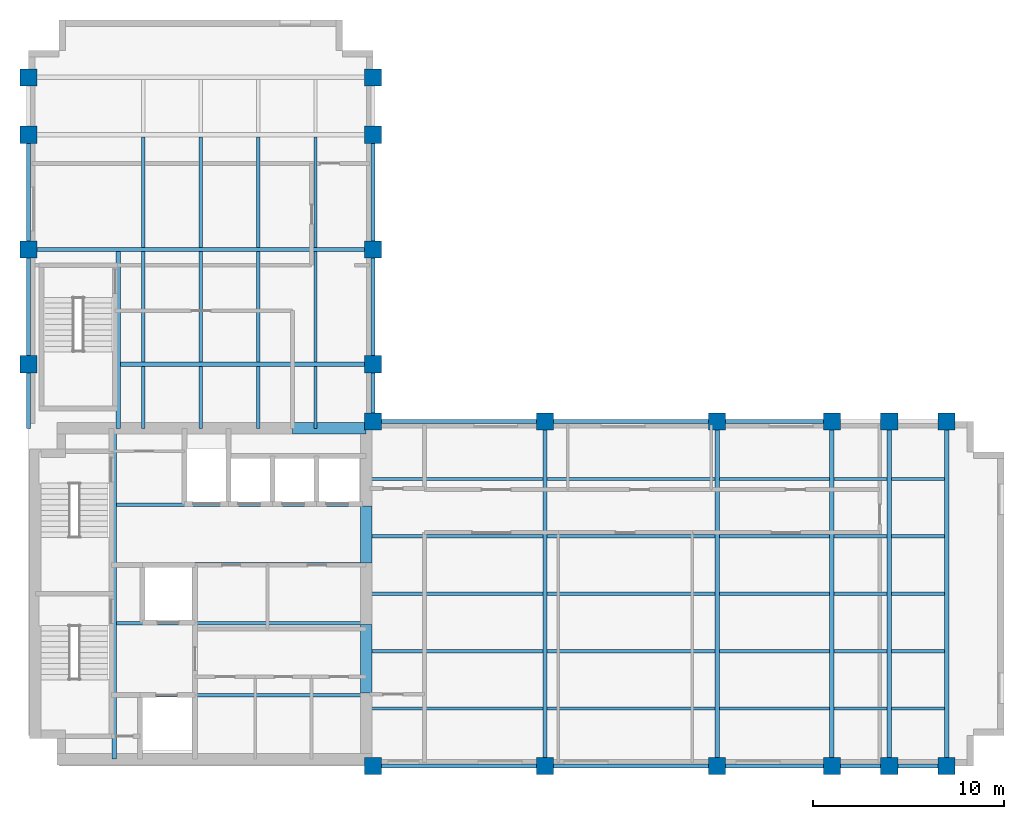
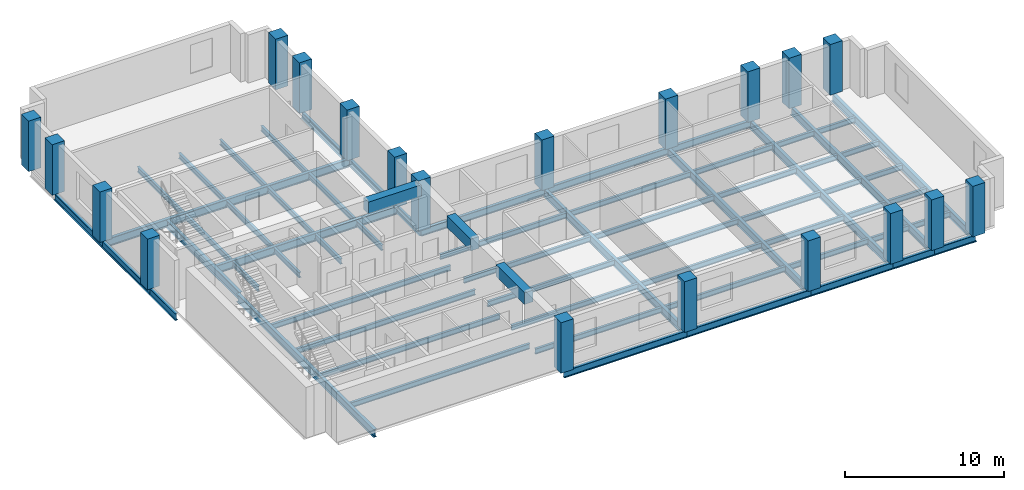
# One storey, part 1 of 6: 67 beams, 20 columns.
"""IFC4 building model written with IfcOpenShell, lengths in metres."""

from ifc_helpers import new_model, si_unit, direction, frame, origin, origin_2d, place, context, subcontext, project, spatial, rectangle, i_section, extrude, material, material_profile, profile_set, type_object, element, save


model = new_model("IFC4")

# Units and contexts
model_context = context("Model", 3, precision=1e-05, world=origin(), true_north=direction((0.0, 1.0)))
body_context = subcontext(model_context, "Body", "Model", "MODEL_VIEW")
ifc_project = project(units=[si_unit("LENGTHUNIT", "METRE"), si_unit("AREAUNIT", "SQUARE_METRE"), si_unit("VOLUMEUNIT", "CUBIC_METRE"), si_unit("PLANEANGLEUNIT", "RADIAN"), si_unit("MASSUNIT", "GRAM", prefix="KILO")], contexts=[model_context])

# Site, building, storey
site_placement = place(None, origin())
site = spatial("IfcSite", under=ifc_project, at=site_placement, CompositionType="ELEMENT")
building_placement = place(site_placement, origin())
building = spatial("IfcBuilding", under=site, at=building_placement, Name="Mawjdan Bourse Tower", CompositionType="ELEMENT")
storey_placement = place(building_placement, frame((0.0, 0.0, 211.199951171875)))
storey = spatial("IfcBuildingStorey", under=building, at=storey_placement, Name="L51", CompositionType="ELEMENT", Elevation=211.199951171875)

# Columns
ifc_material_1 = material(Name="Concrete C70/85", Category="concrete")
ifc_material_profile_1 = material_profile(ifc_material_1, rectangle(XDim=0.89990234375, YDim=0.89990234375, at=origin_2d()), Name="RC900X900")
ifc_profile_set_1 = profile_set([ifc_material_profile_1], Name="Concrete C70/85")
column_type = type_object("IfcColumnType", Name="COL-RC900X900", PredefinedType="COLUMN", material=ifc_profile_set_1)
for number, where, z_axis, x_axis, name in (
    (1, (24.0, 3.0, 0.0), (0.0, 0.0, 1.0), (1.0, 0.0, 0.0), "L51 Structural Column C-X240-Y30"),
    (2, (24.0, 21.0, 0.0), (0.0, 0.0, 1.0), (1.0, 0.0, 0.0), "L51 Structural Column C-X240-Y210"),
    (3, (33.0, 3.0, 0.0), (0.0, 0.0, 1.0), (1.0, 0.0, 0.0), "L51 Structural Column C-X330-Y30"),
    (4, (33.0, 21.0, 0.0), (0.0, 0.0, 1.0), (1.0, 0.0, 0.0), "L51 Structural Column C-X330-Y210"),
    (5, (42.0, 3.0, 0.0), (0.0, 0.0, 1.0), (1.0, 0.0, 0.0), "L51 Structural Column C-X420-Y30"),
    (6, (42.0, 21.0, 0.0), (0.0, 0.0, 1.0), (1.0, 0.0, 0.0), "L51 Structural Column C-X420-Y210"),
    (7, (48.0, 3.0, 0.0), (0.0, 0.0, 1.0), (1.0, 0.0, 0.0), "L51 Structural Column C-X480-Y30"),
    (8, (48.0, 21.0, 0.0), (0.0, 0.0, 1.0), (1.0, 0.0, 0.0), "L51 Structural Column C-X480-Y210"),
    (9, (51.0, 3.0, 0.0), (0.0, 0.0, 1.0), (1.0, 0.0, 0.0), "L51 Structural Column C-X510-Y30"),
    (10, (51.0, 21.0, 0.0), (0.0, 0.0, 1.0), (1.0, 0.0, 0.0), "L51 Structural Column C-X510-Y210"),
    (11, (54.0, 3.0, 0.0), (0.0, 0.0, 1.0), (1.0, 0.0, 0.0), "L51 Structural Column C-X540-Y30"),
    (12, (54.0, 21.0, 0.0), (0.0, 0.0, 1.0), (1.0, 0.0, 0.0), "L51 Structural Column C-X540-Y210"),
    (13, (6.0, 24.0, 0.0), (0.0, 0.0, 1.0), (1.0, 0.0, 0.0), "L51 Structural Column C-X60-Y240"),
    (14, (24.0, 24.0, 0.0), (0.0, 0.0, 1.0), (1.0, 0.0, 0.0), "L51 Structural Column C-X240-Y240"),
    (15, (6.0, 30.0, 0.0), (0.0, 0.0, 1.0), (1.0, 0.0, 0.0), "L51 Structural Column C-X60-Y300"),
    (16, (24.0, 30.0, 0.0), (0.0, 0.0, 1.0), (1.0, 0.0, 0.0), "L51 Structural Column C-X240-Y300"),
    (17, (6.0, 36.0, 0.0), (0.0, 0.0, 1.0), (1.0, 0.0, 0.0), "L51 Structural Column C-X60-Y360"),
    (18, (24.0, 36.0, 0.0), (0.0, 0.0, 1.0), (1.0, 0.0, 0.0), "L51 Structural Column C-X240-Y360"),
    (19, (6.0, 39.0, 0.0), (0.0, 0.0, 1.0), (1.0, 0.0, 0.0), "L51 Structural Column C-X60-Y390"),
    (20, (24.0, 39.0, 0.0), (0.0, 0.0, 1.0), (1.0, 0.0, 0.0), "L51 Structural Column C-X240-Y390"),
):
    element("IfcColumn", number, at=place(storey_placement, frame(where, z_axis=z_axis, x_axis=x_axis)), inside=storey, type_object=column_type, Name=name, PredefinedType="COLUMN", context=body_context, shape_type="SweptSolid", body=[
        extrude(rectangle(XDim=0.89990234375, YDim=0.89990234375, at=origin_2d()), origin(), (0.0, 0.0, 1.0), 3.900146484375),
    ])

# Beams
ifc_material_2 = material(Name="Structural Steel S355", Category="steel")
ifc_material_profile_2 = material_profile(ifc_material_2, i_section(OverallWidth=0.22998046875, OverallDepth=0.616943359375, WebThickness=0.01318359375, FlangeThickness=0.022216796875, FilletRadius=0.017822265625, at=origin_2d()), Name="W24X94")
ifc_profile_set_2 = profile_set([ifc_material_profile_2], Name="Structural Steel S355")
beam_type_1 = type_object("IfcBeamType", Name="GRD-W24X94", PredefinedType="BEAM", material=ifc_profile_set_2)
beam_1_placement = place(storey_placement, frame((10.47998046875, 3.35009765625, -0.508544921875), z_axis=(0.0, 1.0, 0.0), x_axis=(-1.0, 0.0, 0.0)))
element("IfcBeam", 21, at=beam_1_placement, inside=storey, type_object=beam_type_1, Name="L51 Core Stair Trimmer Girder 001", PredefinedType="BEAM", context=body_context, shape_type="SweptSolid", body=[
    extrude(i_section(OverallWidth=0.22998046875, OverallDepth=0.616943359375, WebThickness=0.01318359375, FlangeThickness=0.022216796875, FilletRadius=0.017822265625, at=origin_2d()), origin(), (0.0, 0.0, 1.0), 17.2998046875),
])
for number, where, z_axis, x_axis, name in (
    (22, (33.0, 3.0, -0.508544921875), (0.0, 1.0, 0.0), (-1.0, 0.0, 0.0), "L51 East Wing Clear-Span Girder 002"),
    (23, (42.0, 3.0, -0.508544921875), (0.0, 1.0, 0.0), (-1.0, 0.0, 0.0), "L51 East Wing Clear-Span Girder 003"),
    (24, (48.0, 3.0, -0.508544921875), (0.0, 1.0, 0.0), (-1.0, 0.0, 0.0), "L51 East Wing Clear-Span Girder 004"),
    (25, (51.0, 3.0, -0.508544921875), (0.0, 1.0, 0.0), (-1.0, 0.0, 0.0), "L51 East Wing Clear-Span Girder 005"),
    (26, (54.0, 3.0, -0.508544921875), (0.0, 1.0, 0.0), (-1.0, 0.0, 0.0), "L51 East Wing Clear-Span Girder 006"),
):
    element("IfcBeam", number, at=place(storey_placement, frame(where, z_axis=z_axis, x_axis=x_axis)), inside=storey, type_object=beam_type_1, Name=name, PredefinedType="BEAM", context=body_context, shape_type="SweptSolid", body=[
        extrude(i_section(OverallWidth=0.22998046875, OverallDepth=0.616943359375, WebThickness=0.01318359375, FlangeThickness=0.022216796875, FilletRadius=0.017822265625, at=origin_2d()), origin(), (0.0, 0.0, 1.0), 18.0),
    ])
beam_2_placement = place(storey_placement, frame((10.679931640625, 20.64990234375, -0.508544921875), z_axis=(0.0, 1.0, 0.0), x_axis=(-1.0, 0.0, 0.0)))
element("IfcBeam", 27, at=beam_2_placement, inside=storey, type_object=beam_type_1, Name="L51 North Wing Stair Trimmer Girder 046", PredefinedType="BEAM", context=body_context, shape_type="SweptSolid", body=[
    extrude(i_section(OverallWidth=0.22998046875, OverallDepth=0.616943359375, WebThickness=0.01318359375, FlangeThickness=0.022216796875, FilletRadius=0.017822265625, at=origin_2d()), origin(), (0.0, 0.0, 1.0), 9.237060546875),
])
beam_3_placement = place(storey_placement, frame((10.79296875, 24.0, -0.508544921875), z_axis=(1.0, 0.0, 0.0), x_axis=(0.0, 1.0, 0.0)))
element("IfcBeam", 28, at=beam_3_placement, inside=storey, type_object=beam_type_1, Name="L51 North Wing Clear-Span Girder 047", PredefinedType="BEAM", context=body_context, shape_type="SweptSolid", body=[
    extrude(i_section(OverallWidth=0.22998046875, OverallDepth=0.616943359375, WebThickness=0.01318359375, FlangeThickness=0.022216796875, FilletRadius=0.017822265625, at=origin_2d()), origin(), (0.0, 0.0, 1.0), 13.20703125),
])
beam_4_placement = place(storey_placement, frame((6.0, 30.0, -0.508544921875), z_axis=(1.0, 0.0, 0.0), x_axis=(0.0, 1.0, 0.0)))
element("IfcBeam", 29, at=beam_4_placement, inside=storey, type_object=beam_type_1, Name="L51 North Wing Clear-Span Girder 048", PredefinedType="BEAM", context=body_context, shape_type="SweptSolid", body=[
    extrude(i_section(OverallWidth=0.22998046875, OverallDepth=0.616943359375, WebThickness=0.01318359375, FlangeThickness=0.022216796875, FilletRadius=0.017822265625, at=origin_2d()), origin(), (0.0, 0.0, 1.0), 18.0),
])
ifc_material_profile_3 = material_profile(ifc_material_2, i_section(OverallWidth=0.177978515625, OverallDepth=0.406982421875, WebThickness=0.0078125, FlangeThickness=0.0126953125, FilletRadius=0.01025390625, at=origin_2d()), Name="W16X40")
ifc_profile_set_3 = profile_set([ifc_material_profile_3], Name="Structural Steel S355")
beam_type_2 = type_object("IfcBeamType", Name="JST-W16X40", PredefinedType="JOIST", material=ifc_profile_set_3)
beam_5_placement = place(storey_placement, frame((23.64990234375, 6.0, -0.403564453125), z_axis=(1.0, 0.0, 0.0), x_axis=(0.0, 1.0, 0.0)))
element("IfcBeam", 30, at=beam_5_placement, inside=storey, type_object=beam_type_2, Name="L51 East Wing Composite Joist 017", PredefinedType="JOIST", context=body_context, shape_type="SweptSolid", body=[
    extrude(i_section(OverallWidth=0.177978515625, OverallDepth=0.406982421875, WebThickness=0.0078125, FlangeThickness=0.0126953125, FilletRadius=0.01025390625, at=origin_2d()), origin(), (0.0, 0.0, 1.0), 9.237060546875),
])
beam_6_placement = place(storey_placement, frame((33.113037109375, 6.0, -0.403564453125), z_axis=(1.0, 0.0, 0.0), x_axis=(0.0, 1.0, 0.0)))
element("IfcBeam", 31, at=beam_6_placement, inside=storey, type_object=beam_type_2, Name="L51 East Wing Composite Joist 018", PredefinedType="JOIST", context=body_context, shape_type="SweptSolid", body=[
    extrude(i_section(OverallWidth=0.177978515625, OverallDepth=0.406982421875, WebThickness=0.0078125, FlangeThickness=0.0126953125, FilletRadius=0.01025390625, at=origin_2d()), origin(), (0.0, 0.0, 1.0), 8.77392578125),
])
beam_7_placement = place(storey_placement, frame((42.113037109375, 6.0, -0.403564453125), z_axis=(1.0, 0.0, 0.0), x_axis=(0.0, 1.0, 0.0)))
element("IfcBeam", 32, at=beam_7_placement, inside=storey, type_object=beam_type_2, Name="L51 East Wing Composite Joist 019", PredefinedType="JOIST", context=body_context, shape_type="SweptSolid", body=[
    extrude(i_section(OverallWidth=0.177978515625, OverallDepth=0.406982421875, WebThickness=0.0078125, FlangeThickness=0.0126953125, FilletRadius=0.01025390625, at=origin_2d()), origin(), (0.0, 0.0, 1.0), 5.77392578125),
])
for number, where, z_axis, x_axis, name in (
    (33, (48.113037109375, 6.0, -0.403564453125), (1.0, 0.0, 0.0), (0.0, 1.0, 0.0), "L51 East Wing Composite Joist 020"),
    (34, (51.113037109375, 6.0, -0.403564453125), (1.0, 0.0, 0.0), (0.0, 1.0, 0.0), "L51 East Wing Composite Joist 021"),
):
    element("IfcBeam", number, at=place(storey_placement, frame(where, z_axis=z_axis, x_axis=x_axis)), inside=storey, type_object=beam_type_2, Name=name, PredefinedType="JOIST", context=body_context, shape_type="SweptSolid", body=[
        extrude(i_section(OverallWidth=0.177978515625, OverallDepth=0.406982421875, WebThickness=0.0078125, FlangeThickness=0.0126953125, FilletRadius=0.01025390625, at=origin_2d()), origin(), (0.0, 0.0, 1.0), 2.77392578125),
    ])
beam_8_placement = place(storey_placement, frame((23.64990234375, 9.0, -0.403564453125), z_axis=(1.0, 0.0, 0.0), x_axis=(0.0, 1.0, 0.0)))
element("IfcBeam", 35, at=beam_8_placement, inside=storey, type_object=beam_type_2, Name="L51 East Wing Composite Joist 022", PredefinedType="JOIST", context=body_context, shape_type="SweptSolid", body=[
    extrude(i_section(OverallWidth=0.177978515625, OverallDepth=0.406982421875, WebThickness=0.0078125, FlangeThickness=0.0126953125, FilletRadius=0.01025390625, at=origin_2d()), origin(), (0.0, 0.0, 1.0), 9.237060546875),
])
beam_9_placement = place(storey_placement, frame((33.113037109375, 9.0, -0.403564453125), z_axis=(1.0, 0.0, 0.0), x_axis=(0.0, 1.0, 0.0)))
element("IfcBeam", 36, at=beam_9_placement, inside=storey, type_object=beam_type_2, Name="L51 East Wing Composite Joist 023", PredefinedType="JOIST", context=body_context, shape_type="SweptSolid", body=[
    extrude(i_section(OverallWidth=0.177978515625, OverallDepth=0.406982421875, WebThickness=0.0078125, FlangeThickness=0.0126953125, FilletRadius=0.01025390625, at=origin_2d()), origin(), (0.0, 0.0, 1.0), 8.77392578125),
])
beam_10_placement = place(storey_placement, frame((42.113037109375, 9.0, -0.403564453125), z_axis=(1.0, 0.0, 0.0), x_axis=(0.0, 1.0, 0.0)))
element("IfcBeam", 37, at=beam_10_placement, inside=storey, type_object=beam_type_2, Name="L51 East Wing Composite Joist 024", PredefinedType="JOIST", context=body_context, shape_type="SweptSolid", body=[
    extrude(i_section(OverallWidth=0.177978515625, OverallDepth=0.406982421875, WebThickness=0.0078125, FlangeThickness=0.0126953125, FilletRadius=0.01025390625, at=origin_2d()), origin(), (0.0, 0.0, 1.0), 5.77392578125),
])
for number, where, z_axis, x_axis, name in (
    (38, (48.113037109375, 9.0, -0.403564453125), (1.0, 0.0, 0.0), (0.0, 1.0, 0.0), "L51 East Wing Composite Joist 025"),
    (39, (51.113037109375, 9.0, -0.403564453125), (1.0, 0.0, 0.0), (0.0, 1.0, 0.0), "L51 East Wing Composite Joist 026"),
):
    element("IfcBeam", number, at=place(storey_placement, frame(where, z_axis=z_axis, x_axis=x_axis)), inside=storey, type_object=beam_type_2, Name=name, PredefinedType="JOIST", context=body_context, shape_type="SweptSolid", body=[
        extrude(i_section(OverallWidth=0.177978515625, OverallDepth=0.406982421875, WebThickness=0.0078125, FlangeThickness=0.0126953125, FilletRadius=0.01025390625, at=origin_2d()), origin(), (0.0, 0.0, 1.0), 2.77392578125),
    ])
beam_11_placement = place(storey_placement, frame((23.64990234375, 12.0, -0.403564453125), z_axis=(1.0, 0.0, 0.0), x_axis=(0.0, 1.0, 0.0)))
element("IfcBeam", 40, at=beam_11_placement, inside=storey, type_object=beam_type_2, Name="L51 East Wing Composite Joist 027", PredefinedType="JOIST", context=body_context, shape_type="SweptSolid", body=[
    extrude(i_section(OverallWidth=0.177978515625, OverallDepth=0.406982421875, WebThickness=0.0078125, FlangeThickness=0.0126953125, FilletRadius=0.01025390625, at=origin_2d()), origin(), (0.0, 0.0, 1.0), 9.237060546875),
])
beam_12_placement = place(storey_placement, frame((33.113037109375, 12.0, -0.403564453125), z_axis=(1.0, 0.0, 0.0), x_axis=(0.0, 1.0, 0.0)))
element("IfcBeam", 41, at=beam_12_placement, inside=storey, type_object=beam_type_2, Name="L51 East Wing Composite Joist 028", PredefinedType="JOIST", context=body_context, shape_type="SweptSolid", body=[
    extrude(i_section(OverallWidth=0.177978515625, OverallDepth=0.406982421875, WebThickness=0.0078125, FlangeThickness=0.0126953125, FilletRadius=0.01025390625, at=origin_2d()), origin(), (0.0, 0.0, 1.0), 8.77392578125),
])
beam_13_placement = place(storey_placement, frame((42.113037109375, 12.0, -0.403564453125), z_axis=(1.0, 0.0, 0.0), x_axis=(0.0, 1.0, 0.0)))
element("IfcBeam", 42, at=beam_13_placement, inside=storey, type_object=beam_type_2, Name="L51 East Wing Composite Joist 029", PredefinedType="JOIST", context=body_context, shape_type="SweptSolid", body=[
    extrude(i_section(OverallWidth=0.177978515625, OverallDepth=0.406982421875, WebThickness=0.0078125, FlangeThickness=0.0126953125, FilletRadius=0.01025390625, at=origin_2d()), origin(), (0.0, 0.0, 1.0), 5.77392578125),
])
for number, where, z_axis, x_axis, name in (
    (43, (48.113037109375, 12.0, -0.403564453125), (1.0, 0.0, 0.0), (0.0, 1.0, 0.0), "L51 East Wing Composite Joist 030"),
    (44, (51.113037109375, 12.0, -0.403564453125), (1.0, 0.0, 0.0), (0.0, 1.0, 0.0), "L51 East Wing Composite Joist 031"),
):
    element("IfcBeam", number, at=place(storey_placement, frame(where, z_axis=z_axis, x_axis=x_axis)), inside=storey, type_object=beam_type_2, Name=name, PredefinedType="JOIST", context=body_context, shape_type="SweptSolid", body=[
        extrude(i_section(OverallWidth=0.177978515625, OverallDepth=0.406982421875, WebThickness=0.0078125, FlangeThickness=0.0126953125, FilletRadius=0.01025390625, at=origin_2d()), origin(), (0.0, 0.0, 1.0), 2.77392578125),
    ])
beam_14_placement = place(storey_placement, frame((23.64990234375, 15.0, -0.403564453125), z_axis=(1.0, 0.0, 0.0), x_axis=(0.0, 1.0, 0.0)))
element("IfcBeam", 45, at=beam_14_placement, inside=storey, type_object=beam_type_2, Name="L51 East Wing Composite Joist 032", PredefinedType="JOIST", context=body_context, shape_type="SweptSolid", body=[
    extrude(i_section(OverallWidth=0.177978515625, OverallDepth=0.406982421875, WebThickness=0.0078125, FlangeThickness=0.0126953125, FilletRadius=0.01025390625, at=origin_2d()), origin(), (0.0, 0.0, 1.0), 9.237060546875),
])
beam_15_placement = place(storey_placement, frame((33.113037109375, 15.0, -0.403564453125), z_axis=(1.0, 0.0, 0.0), x_axis=(0.0, 1.0, 0.0)))
element("IfcBeam", 46, at=beam_15_placement, inside=storey, type_object=beam_type_2, Name="L51 East Wing Composite Joist 033", PredefinedType="JOIST", context=body_context, shape_type="SweptSolid", body=[
    extrude(i_section(OverallWidth=0.177978515625, OverallDepth=0.406982421875, WebThickness=0.0078125, FlangeThickness=0.0126953125, FilletRadius=0.01025390625, at=origin_2d()), origin(), (0.0, 0.0, 1.0), 8.77392578125),
])
beam_16_placement = place(storey_placement, frame((42.113037109375, 15.0, -0.403564453125), z_axis=(1.0, 0.0, 0.0), x_axis=(0.0, 1.0, 0.0)))
element("IfcBeam", 47, at=beam_16_placement, inside=storey, type_object=beam_type_2, Name="L51 East Wing Composite Joist 034", PredefinedType="JOIST", context=body_context, shape_type="SweptSolid", body=[
    extrude(i_section(OverallWidth=0.177978515625, OverallDepth=0.406982421875, WebThickness=0.0078125, FlangeThickness=0.0126953125, FilletRadius=0.01025390625, at=origin_2d()), origin(), (0.0, 0.0, 1.0), 5.77392578125),
])
for number, where, z_axis, x_axis, name in (
    (48, (48.113037109375, 15.0, -0.403564453125), (1.0, 0.0, 0.0), (0.0, 1.0, 0.0), "L51 East Wing Composite Joist 035"),
    (49, (51.113037109375, 15.0, -0.403564453125), (1.0, 0.0, 0.0), (0.0, 1.0, 0.0), "L51 East Wing Composite Joist 036"),
):
    element("IfcBeam", number, at=place(storey_placement, frame(where, z_axis=z_axis, x_axis=x_axis)), inside=storey, type_object=beam_type_2, Name=name, PredefinedType="JOIST", context=body_context, shape_type="SweptSolid", body=[
        extrude(i_section(OverallWidth=0.177978515625, OverallDepth=0.406982421875, WebThickness=0.0078125, FlangeThickness=0.0126953125, FilletRadius=0.01025390625, at=origin_2d()), origin(), (0.0, 0.0, 1.0), 2.77392578125),
    ])
beam_17_placement = place(storey_placement, frame((23.64990234375, 18.0, -0.403564453125), z_axis=(1.0, 0.0, 0.0), x_axis=(0.0, 1.0, 0.0)))
element("IfcBeam", 50, at=beam_17_placement, inside=storey, type_object=beam_type_2, Name="L51 East Wing Composite Joist 037", PredefinedType="JOIST", context=body_context, shape_type="SweptSolid", body=[
    extrude(i_section(OverallWidth=0.177978515625, OverallDepth=0.406982421875, WebThickness=0.0078125, FlangeThickness=0.0126953125, FilletRadius=0.01025390625, at=origin_2d()), origin(), (0.0, 0.0, 1.0), 9.237060546875),
])
beam_18_placement = place(storey_placement, frame((33.113037109375, 18.0, -0.403564453125), z_axis=(1.0, 0.0, 0.0), x_axis=(0.0, 1.0, 0.0)))
element("IfcBeam", 51, at=beam_18_placement, inside=storey, type_object=beam_type_2, Name="L51 East Wing Composite Joist 038", PredefinedType="JOIST", context=body_context, shape_type="SweptSolid", body=[
    extrude(i_section(OverallWidth=0.177978515625, OverallDepth=0.406982421875, WebThickness=0.0078125, FlangeThickness=0.0126953125, FilletRadius=0.01025390625, at=origin_2d()), origin(), (0.0, 0.0, 1.0), 8.77392578125),
])
beam_19_placement = place(storey_placement, frame((42.113037109375, 18.0, -0.403564453125), z_axis=(1.0, 0.0, 0.0), x_axis=(0.0, 1.0, 0.0)))
element("IfcBeam", 52, at=beam_19_placement, inside=storey, type_object=beam_type_2, Name="L51 East Wing Composite Joist 039", PredefinedType="JOIST", context=body_context, shape_type="SweptSolid", body=[
    extrude(i_section(OverallWidth=0.177978515625, OverallDepth=0.406982421875, WebThickness=0.0078125, FlangeThickness=0.0126953125, FilletRadius=0.01025390625, at=origin_2d()), origin(), (0.0, 0.0, 1.0), 5.77392578125),
])
for number, where, z_axis, x_axis, name in (
    (53, (48.113037109375, 18.0, -0.403564453125), (1.0, 0.0, 0.0), (0.0, 1.0, 0.0), "L51 East Wing Composite Joist 040"),
    (54, (51.113037109375, 18.0, -0.403564453125), (1.0, 0.0, 0.0), (0.0, 1.0, 0.0), "L51 East Wing Composite Joist 041"),
):
    element("IfcBeam", number, at=place(storey_placement, frame(where, z_axis=z_axis, x_axis=x_axis)), inside=storey, type_object=beam_type_2, Name=name, PredefinedType="JOIST", context=body_context, shape_type="SweptSolid", body=[
        extrude(i_section(OverallWidth=0.177978515625, OverallDepth=0.406982421875, WebThickness=0.0078125, FlangeThickness=0.0126953125, FilletRadius=0.01025390625, at=origin_2d()), origin(), (0.0, 0.0, 1.0), 2.77392578125),
    ])
for number, where, z_axis, x_axis, name in (
    (55, (10.593017578125, 6.699951171875, -0.403564453125), (1.0, 0.0, 0.0), (0.0, 1.0, 0.0), "L51 Core Floor Joist 042"),
    (56, (10.593017578125, 10.449951171875, -0.403564453125), (1.0, 0.0, 0.0), (0.0, 1.0, 0.0), "L51 Core Floor Joist 043"),
    (57, (10.593017578125, 13.550048828125, -0.403564453125), (1.0, 0.0, 0.0), (0.0, 1.0, 0.0), "L51 Core Floor Joist 044"),
    (58, (10.593017578125, 16.64990234375, -0.403564453125), (1.0, 0.0, 0.0), (0.0, 1.0, 0.0), "L51 Core Floor Joist 045"),
):
    element("IfcBeam", number, at=place(storey_placement, frame(where, z_axis=z_axis, x_axis=x_axis)), inside=storey, type_object=beam_type_2, Name=name, PredefinedType="JOIST", context=body_context, shape_type="SweptSolid", body=[
        extrude(i_section(OverallWidth=0.177978515625, OverallDepth=0.406982421875, WebThickness=0.0078125, FlangeThickness=0.0126953125, FilletRadius=0.01025390625, at=origin_2d()), origin(), (0.0, 0.0, 1.0), 13.056884765625),
    ])
beam_20_placement = place(storey_placement, frame((12.0, 20.64990234375, -0.403564453125), z_axis=(0.0, 1.0, 0.0), x_axis=(-1.0, 0.0, 0.0)))
element("IfcBeam", 59, at=beam_20_placement, inside=storey, type_object=beam_type_2, Name="L51 North Wing Composite Joist 059", PredefinedType="JOIST", context=body_context, shape_type="SweptSolid", body=[
    extrude(i_section(OverallWidth=0.177978515625, OverallDepth=0.406982421875, WebThickness=0.0078125, FlangeThickness=0.0126953125, FilletRadius=0.01025390625, at=origin_2d()), origin(), (0.0, 0.0, 1.0), 3.237060546875),
])
for number, where, z_axis, x_axis, name in (
    (60, (12.0, 24.113037109375, -0.403564453125), (0.0, 1.0, 0.0), (-1.0, 0.0, 0.0), "L51 North Wing Composite Joist 060"),
    (61, (12.0, 30.113037109375, -0.403564453125), (0.0, 1.0, 0.0), (-1.0, 0.0, 0.0), "L51 North Wing Composite Joist 061"),
):
    element("IfcBeam", number, at=place(storey_placement, frame(where, z_axis=z_axis, x_axis=x_axis)), inside=storey, type_object=beam_type_2, Name=name, PredefinedType="JOIST", context=body_context, shape_type="SweptSolid", body=[
        extrude(i_section(OverallWidth=0.177978515625, OverallDepth=0.406982421875, WebThickness=0.0078125, FlangeThickness=0.0126953125, FilletRadius=0.01025390625, at=origin_2d()), origin(), (0.0, 0.0, 1.0), 5.77392578125),
    ])
beam_21_placement = place(storey_placement, frame((15.0, 20.64990234375, -0.403564453125), z_axis=(0.0, 1.0, 0.0), x_axis=(-1.0, 0.0, 0.0)))
element("IfcBeam", 62, at=beam_21_placement, inside=storey, type_object=beam_type_2, Name="L51 North Wing Composite Joist 063", PredefinedType="JOIST", context=body_context, shape_type="SweptSolid", body=[
    extrude(i_section(OverallWidth=0.177978515625, OverallDepth=0.406982421875, WebThickness=0.0078125, FlangeThickness=0.0126953125, FilletRadius=0.01025390625, at=origin_2d()), origin(), (0.0, 0.0, 1.0), 3.237060546875),
])
for number, where, z_axis, x_axis, name in (
    (63, (15.0, 24.113037109375, -0.403564453125), (0.0, 1.0, 0.0), (-1.0, 0.0, 0.0), "L51 North Wing Composite Joist 064"),
    (64, (15.0, 30.113037109375, -0.403564453125), (0.0, 1.0, 0.0), (-1.0, 0.0, 0.0), "L51 North Wing Composite Joist 065"),
):
    element("IfcBeam", number, at=place(storey_placement, frame(where, z_axis=z_axis, x_axis=x_axis)), inside=storey, type_object=beam_type_2, Name=name, PredefinedType="JOIST", context=body_context, shape_type="SweptSolid", body=[
        extrude(i_section(OverallWidth=0.177978515625, OverallDepth=0.406982421875, WebThickness=0.0078125, FlangeThickness=0.0126953125, FilletRadius=0.01025390625, at=origin_2d()), origin(), (0.0, 0.0, 1.0), 5.77392578125),
    ])
beam_22_placement = place(storey_placement, frame((18.0, 20.64990234375, -0.403564453125), z_axis=(0.0, 1.0, 0.0), x_axis=(-1.0, 0.0, 0.0)))
element("IfcBeam", 65, at=beam_22_placement, inside=storey, type_object=beam_type_2, Name="L51 North Wing Composite Joist 067", PredefinedType="JOIST", context=body_context, shape_type="SweptSolid", body=[
    extrude(i_section(OverallWidth=0.177978515625, OverallDepth=0.406982421875, WebThickness=0.0078125, FlangeThickness=0.0126953125, FilletRadius=0.01025390625, at=origin_2d()), origin(), (0.0, 0.0, 1.0), 3.237060546875),
])
for number, where, z_axis, x_axis, name in (
    (66, (18.0, 24.113037109375, -0.403564453125), (0.0, 1.0, 0.0), (-1.0, 0.0, 0.0), "L51 North Wing Composite Joist 068"),
    (67, (18.0, 30.113037109375, -0.403564453125), (0.0, 1.0, 0.0), (-1.0, 0.0, 0.0), "L51 North Wing Composite Joist 069"),
):
    element("IfcBeam", number, at=place(storey_placement, frame(where, z_axis=z_axis, x_axis=x_axis)), inside=storey, type_object=beam_type_2, Name=name, PredefinedType="JOIST", context=body_context, shape_type="SweptSolid", body=[
        extrude(i_section(OverallWidth=0.177978515625, OverallDepth=0.406982421875, WebThickness=0.0078125, FlangeThickness=0.0126953125, FilletRadius=0.01025390625, at=origin_2d()), origin(), (0.0, 0.0, 1.0), 5.77392578125),
    ])
beam_23_placement = place(storey_placement, frame((21.0, 20.64990234375, -0.403564453125), z_axis=(0.0, 1.0, 0.0), x_axis=(-1.0, 0.0, 0.0)))
element("IfcBeam", 68, at=beam_23_placement, inside=storey, type_object=beam_type_2, Name="L51 North Wing Composite Joist 071", PredefinedType="JOIST", context=body_context, shape_type="SweptSolid", body=[
    extrude(i_section(OverallWidth=0.177978515625, OverallDepth=0.406982421875, WebThickness=0.0078125, FlangeThickness=0.0126953125, FilletRadius=0.01025390625, at=origin_2d()), origin(), (0.0, 0.0, 1.0), 3.237060546875),
])
for number, where, z_axis, x_axis, name in (
    (69, (21.0, 24.113037109375, -0.403564453125), (0.0, 1.0, 0.0), (-1.0, 0.0, 0.0), "L51 North Wing Composite Joist 072"),
    (70, (21.0, 30.113037109375, -0.403564453125), (0.0, 1.0, 0.0), (-1.0, 0.0, 0.0), "L51 North Wing Composite Joist 073"),
):
    element("IfcBeam", number, at=place(storey_placement, frame(where, z_axis=z_axis, x_axis=x_axis)), inside=storey, type_object=beam_type_2, Name=name, PredefinedType="JOIST", context=body_context, shape_type="SweptSolid", body=[
        extrude(i_section(OverallWidth=0.177978515625, OverallDepth=0.406982421875, WebThickness=0.0078125, FlangeThickness=0.0126953125, FilletRadius=0.01025390625, at=origin_2d()), origin(), (0.0, 0.0, 1.0), 5.77392578125),
    ])
ifc_material_profile_4 = material_profile(ifc_material_1, rectangle(XDim=0.60009765625, YDim=0.89990234375, at=origin_2d()), Name="RCB600X900")
ifc_profile_set_4 = profile_set([ifc_material_profile_4], Name="Concrete C70/85")
beam_type_3 = type_object("IfcBeamType", Name="LNT-RCB600X900", PredefinedType="LINTEL", material=ifc_profile_set_4)
beam_24_placement = place(storey_placement, frame((23.64990234375, 6.800048828125, 3.25), z_axis=(0.0, 1.0, 0.0), x_axis=(-1.0, 0.0, 0.0)))
element("IfcBeam", 71, at=beam_24_placement, inside=storey, type_object=beam_type_3, Name="L51 Coupled Core Lintel CB-E1", PredefinedType="LINTEL", context=body_context, shape_type="SweptSolid", body=[
    extrude(rectangle(XDim=0.60009765625, YDim=0.89990234375, at=origin_2d()), origin(), (0.0, 0.0, 1.0), 3.599853515625),
])
beam_25_placement = place(storey_placement, frame((23.64990234375, 13.60009765625, 3.25), z_axis=(0.0, 1.0, 0.0), x_axis=(-1.0, 0.0, 0.0)))
element("IfcBeam", 72, at=beam_25_placement, inside=storey, type_object=beam_type_3, Name="L51 Coupled Core Lintel CB-E2", PredefinedType="LINTEL", context=body_context, shape_type="SweptSolid", body=[
    extrude(rectangle(XDim=0.60009765625, YDim=0.89990234375, at=origin_2d()), origin(), (0.0, 0.0, 1.0), 3.0),
])
beam_26_placement = place(storey_placement, frame((19.800048828125, 20.64990234375, 3.25), z_axis=(1.0, 0.0, 0.0), x_axis=(0.0, 1.0, 0.0)))
element("IfcBeam", 73, at=beam_26_placement, inside=storey, type_object=beam_type_3, Name="L51 Coupled Core Lintel CB-N1", PredefinedType="LINTEL", context=body_context, shape_type="SweptSolid", body=[
    extrude(rectangle(XDim=0.60009765625, YDim=0.89990234375, at=origin_2d()), origin(), (0.0, 0.0, 1.0), 3.849853515625),
])
ifc_material_profile_5 = material_profile(ifc_material_2, i_section(OverallWidth=0.2099609375, OverallDepth=0.537109375, WebThickness=0.010986328125, FlangeThickness=0.017333984375, FilletRadius=0.013916015625, at=origin_2d()), Name="W21X68")
ifc_profile_set_5 = profile_set([ifc_material_profile_5], Name="Structural Steel S355")
beam_type_4 = type_object("IfcBeamType", Name="SPN-W21X68", PredefinedType="SPANDREL", material=ifc_profile_set_5)
for number, where, z_axis, x_axis, name in (
    (74, (24.0, 3.0, -0.468505859375), (1.0, 0.0, 0.0), (0.0, 1.0, 0.0), "L51 Perimeter Masonry-Shelf Spandrel 007"),
    (75, (33.0, 3.0, -0.468505859375), (1.0, 0.0, 0.0), (0.0, 1.0, 0.0), "L51 Perimeter Masonry-Shelf Spandrel 008"),
):
    element("IfcBeam", number, at=place(storey_placement, frame(where, z_axis=z_axis, x_axis=x_axis)), inside=storey, type_object=beam_type_4, Name=name, PredefinedType="SPANDREL", context=body_context, shape_type="SweptSolid", body=[
        extrude(i_section(OverallWidth=0.2099609375, OverallDepth=0.537109375, WebThickness=0.010986328125, FlangeThickness=0.017333984375, FilletRadius=0.013916015625, at=origin_2d()), origin(), (0.0, 0.0, 1.0), 9.0),
    ])
beam_27_placement = place(storey_placement, frame((42.0, 3.0, -0.468505859375), z_axis=(1.0, 0.0, 0.0), x_axis=(0.0, 1.0, 0.0)))
element("IfcBeam", 76, at=beam_27_placement, inside=storey, type_object=beam_type_4, Name="L51 Perimeter Masonry-Shelf Spandrel 009", PredefinedType="SPANDREL", context=body_context, shape_type="SweptSolid", body=[
    extrude(i_section(OverallWidth=0.2099609375, OverallDepth=0.537109375, WebThickness=0.010986328125, FlangeThickness=0.017333984375, FilletRadius=0.013916015625, at=origin_2d()), origin(), (0.0, 0.0, 1.0), 6.0),
])
for number, where, z_axis, x_axis, name in (
    (77, (48.0, 3.0, -0.468505859375), (1.0, 0.0, 0.0), (0.0, 1.0, 0.0), "L51 Perimeter Masonry-Shelf Spandrel 010"),
    (78, (51.0, 3.0, -0.468505859375), (1.0, 0.0, 0.0), (0.0, 1.0, 0.0), "L51 Perimeter Masonry-Shelf Spandrel 011"),
):
    element("IfcBeam", number, at=place(storey_placement, frame(where, z_axis=z_axis, x_axis=x_axis)), inside=storey, type_object=beam_type_4, Name=name, PredefinedType="SPANDREL", context=body_context, shape_type="SweptSolid", body=[
        extrude(i_section(OverallWidth=0.2099609375, OverallDepth=0.537109375, WebThickness=0.010986328125, FlangeThickness=0.017333984375, FilletRadius=0.013916015625, at=origin_2d()), origin(), (0.0, 0.0, 1.0), 3.0),
    ])
for number, where, z_axis, x_axis, name in (
    (79, (24.0, 21.0, -0.468505859375), (1.0, 0.0, 0.0), (0.0, 1.0, 0.0), "L51 Perimeter Masonry-Shelf Spandrel 012"),
    (80, (33.0, 21.0, -0.468505859375), (1.0, 0.0, 0.0), (0.0, 1.0, 0.0), "L51 Perimeter Masonry-Shelf Spandrel 013"),
):
    element("IfcBeam", number, at=place(storey_placement, frame(where, z_axis=z_axis, x_axis=x_axis)), inside=storey, type_object=beam_type_4, Name=name, PredefinedType="SPANDREL", context=body_context, shape_type="SweptSolid", body=[
        extrude(i_section(OverallWidth=0.2099609375, OverallDepth=0.537109375, WebThickness=0.010986328125, FlangeThickness=0.017333984375, FilletRadius=0.013916015625, at=origin_2d()), origin(), (0.0, 0.0, 1.0), 9.0),
    ])
beam_28_placement = place(storey_placement, frame((42.0, 21.0, -0.468505859375), z_axis=(1.0, 0.0, 0.0), x_axis=(0.0, 1.0, 0.0)))
element("IfcBeam", 81, at=beam_28_placement, inside=storey, type_object=beam_type_4, Name="L51 Perimeter Masonry-Shelf Spandrel 014", PredefinedType="SPANDREL", context=body_context, shape_type="SweptSolid", body=[
    extrude(i_section(OverallWidth=0.2099609375, OverallDepth=0.537109375, WebThickness=0.010986328125, FlangeThickness=0.017333984375, FilletRadius=0.013916015625, at=origin_2d()), origin(), (0.0, 0.0, 1.0), 6.0),
])
beam_29_placement = place(storey_placement, frame((6.0, 20.64990234375, -0.468505859375), z_axis=(0.0, 1.0, 0.0), x_axis=(-1.0, 0.0, 0.0)))
element("IfcBeam", 82, at=beam_29_placement, inside=storey, type_object=beam_type_4, Name="L51 North Wing Spandrel 051", PredefinedType="SPANDREL", context=body_context, shape_type="SweptSolid", body=[
    extrude(i_section(OverallWidth=0.2099609375, OverallDepth=0.537109375, WebThickness=0.010986328125, FlangeThickness=0.017333984375, FilletRadius=0.013916015625, at=origin_2d()), origin(), (0.0, 0.0, 1.0), 3.35009765625),
])
for number, where, z_axis, x_axis, name in (
    (83, (6.0, 24.0, -0.468505859375), (0.0, 1.0, 0.0), (-1.0, 0.0, 0.0), "L51 North Wing Spandrel 052"),
    (84, (6.0, 30.0, -0.468505859375), (0.0, 1.0, 0.0), (-1.0, 0.0, 0.0), "L51 North Wing Spandrel 053"),
):
    element("IfcBeam", number, at=place(storey_placement, frame(where, z_axis=z_axis, x_axis=x_axis)), inside=storey, type_object=beam_type_4, Name=name, PredefinedType="SPANDREL", context=body_context, shape_type="SweptSolid", body=[
        extrude(i_section(OverallWidth=0.2099609375, OverallDepth=0.537109375, WebThickness=0.010986328125, FlangeThickness=0.017333984375, FilletRadius=0.013916015625, at=origin_2d()), origin(), (0.0, 0.0, 1.0), 6.0),
    ])
beam_30_placement = place(storey_placement, frame((24.0, 21.0, -0.468505859375), z_axis=(0.0, 1.0, 0.0), x_axis=(-1.0, 0.0, 0.0)))
element("IfcBeam", 85, at=beam_30_placement, inside=storey, type_object=beam_type_4, Name="L51 North Wing Spandrel 055", PredefinedType="SPANDREL", context=body_context, shape_type="SweptSolid", body=[
    extrude(i_section(OverallWidth=0.2099609375, OverallDepth=0.537109375, WebThickness=0.010986328125, FlangeThickness=0.017333984375, FilletRadius=0.013916015625, at=origin_2d()), origin(), (0.0, 0.0, 1.0), 3.0),
])
for number, where, z_axis, x_axis, name in (
    (86, (24.0, 24.0, -0.468505859375), (0.0, 1.0, 0.0), (-1.0, 0.0, 0.0), "L51 North Wing Spandrel 056"),
    (87, (24.0, 30.0, -0.468505859375), (0.0, 1.0, 0.0), (-1.0, 0.0, 0.0), "L51 North Wing Spandrel 057"),
):
    element("IfcBeam", number, at=place(storey_placement, frame(where, z_axis=z_axis, x_axis=x_axis)), inside=storey, type_object=beam_type_4, Name=name, PredefinedType="SPANDREL", context=body_context, shape_type="SweptSolid", body=[
        extrude(i_section(OverallWidth=0.2099609375, OverallDepth=0.537109375, WebThickness=0.010986328125, FlangeThickness=0.017333984375, FilletRadius=0.013916015625, at=origin_2d()), origin(), (0.0, 0.0, 1.0), 6.0),
    ])

save(model, "model.ifc")
